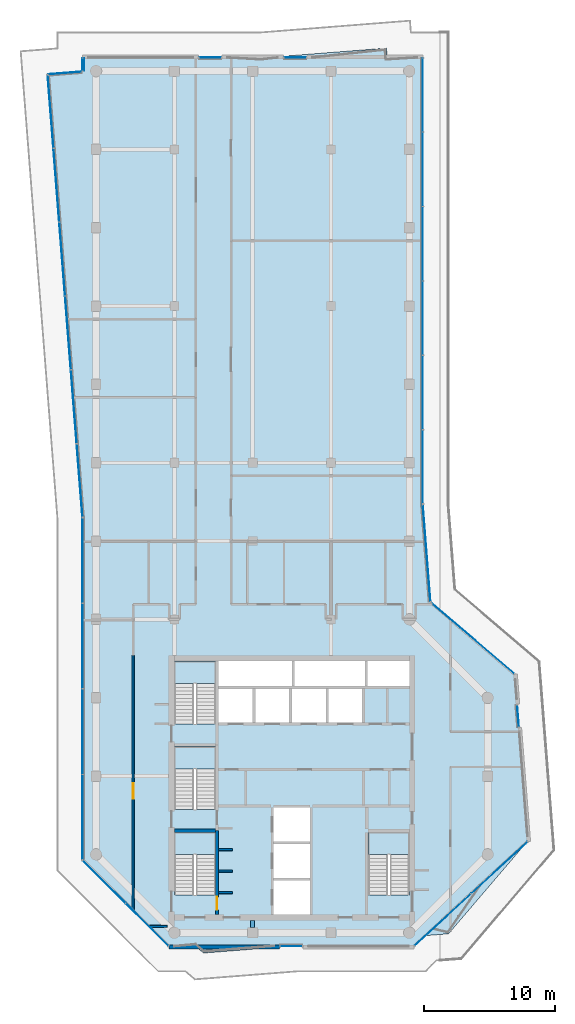
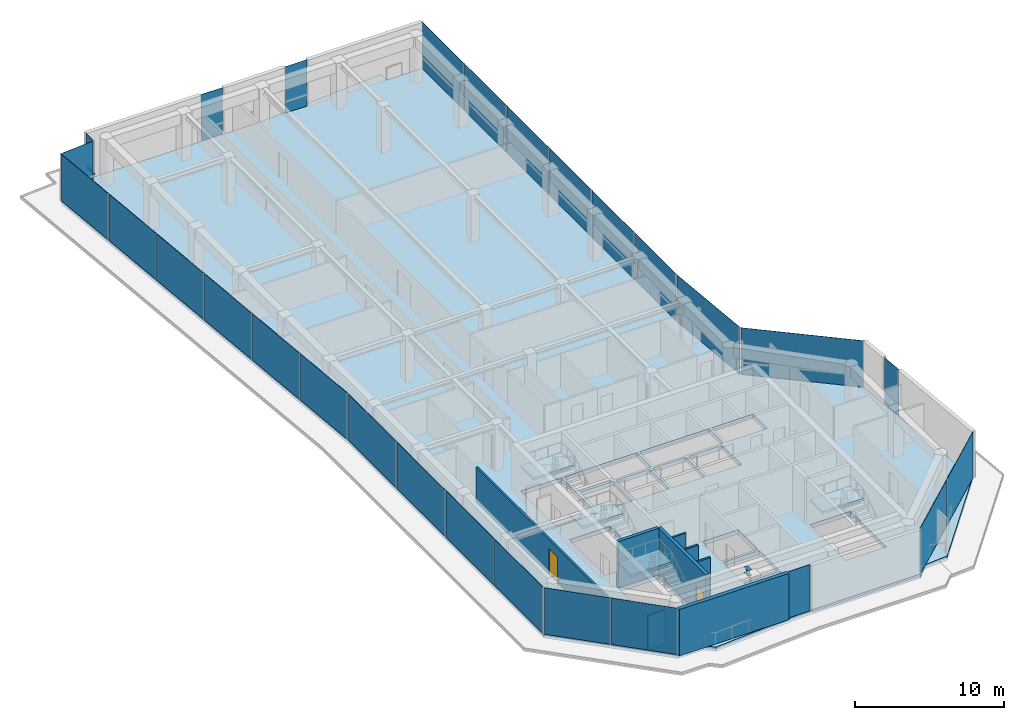
# One storey, part 18 of 23: 28 plates, 8 walls, 5 slabs, 2 doors, 1 beam, 1 member, 2 openings, 17 elements without a shape of their own.
"""IFC4 building model written with IfcOpenShell, lengths in metres."""

import ifcopenshell
import ifcopenshell.guid

model = None  # the IFC model being written
_history = None  # IfcOwnerHistory: only IFC2X3 demands one
_inside = {}  # id of a spatial element -> (the spatial element, [elements in it])
_under = {}  # id of a project, library or spatial element -> (it, [spatial elements below it])
_declared = {}  # id of a project -> (the project, [libraries it declares])
_typed = {}  # id of a type object -> (the type object, [elements of that type])
_made_of = {}  # id of a material, layer set ... -> (it, [elements and type objects made of it])


def new_model(schema):
    """Start an empty IFC model of exactly this schema.

    Asked for "IFC4X3", IfcOpenShell would pick the latest addendum, in which some entities
    have other attributes; the version numbers below select the first issue.
    IFC2X3 requires an IfcOwnerHistory on every rooted entity: one is made here for all.
    """
    global model, _history
    if schema == "IFC4X3":
        model = ifcopenshell.file(schema_version=(4, 3, 0, 0))
    else:
        model = ifcopenshell.file(schema=schema)
    _inside.clear()
    _under.clear()
    _declared.clear()
    _typed.clear()
    _made_of.clear()
    _history = None
    if model.schema == "IFC2X3":
        org = make("IfcOrganization", Name="unknown")
        user = make(
            "IfcPersonAndOrganization",
            ThePerson=make("IfcPerson", FamilyName="unknown"),
            TheOrganization=org,
        )
        app = make(
            "IfcApplication",
            ApplicationDeveloper=org,
            Version="unknown",
            ApplicationFullName="unknown",
            ApplicationIdentifier="unknown",
        )
        _history = make(
            "IfcOwnerHistory",
            OwningUser=user,
            OwningApplication=app,
            ChangeAction="ADDED",
            CreationDate=0,
        )
    return model


def make(cls, **values):
    """One entity of the class cls with the attributes given. An attribute that is None is left unset."""
    return model.create_entity(
        cls, **{name: value for name, value in values.items() if value is not None}
    )


def rooted(cls, **values):
    """An entity with a GlobalId (a new one), such as an element, a storey or a relation."""
    return make(cls, GlobalId=ifcopenshell.guid.new(), OwnerHistory=_history, **values)


def si_unit(unit_type, name, prefix=None):
    """IfcSIUnit, for example si_unit("LENGTHUNIT", "METRE", prefix="MILLI")."""
    return make("IfcSIUnit", UnitType=unit_type, Prefix=prefix, Name=name)


def assignment(units):
    """IfcUnitAssignment: the units of a project."""
    return None if units is None else make("IfcUnitAssignment", Units=units)


def point(xyz):
    """IfcCartesianPoint."""
    return None if xyz is None else make("IfcCartesianPoint", Coordinates=xyz)


def direction(xyz):
    """IfcDirection."""
    return None if xyz is None else make("IfcDirection", DirectionRatios=xyz)


def frame(location, z_axis=None, x_axis=None):
    """IfcAxis2Placement3D, a coordinate frame: its origin and axes. An axis left out is left unset."""
    return make(
        "IfcAxis2Placement3D",
        Location=point(location),
        Axis=direction(z_axis),
        RefDirection=direction(x_axis),
    )


def frame_2d(location, x_axis=None):
    """IfcAxis2Placement2D, a coordinate frame in the plane: its origin and x axis."""
    return make(
        "IfcAxis2Placement2D", Location=point(location), RefDirection=direction(x_axis)
    )


def origin():
    """The frame at (0, 0, 0) with its axes left unset."""
    return frame((0.0, 0.0, 0.0))


def origin_2d():
    """The frame at (0, 0) in the plane with its x axis left unset."""
    return frame_2d((0.0, 0.0))


def place(relative_to, where):
    """IfcLocalPlacement: puts the frame where relative to a parent placement (None: the world)."""
    return make(
        "IfcLocalPlacement", PlacementRelTo=relative_to, RelativePlacement=where
    )


def context(
    kind, dimensions, precision=None, world=None, true_north=None, identifier=None
):
    """IfcGeometricRepresentationContext, for example the 3D "Model" context."""
    return make(
        "IfcGeometricRepresentationContext",
        ContextIdentifier=identifier,
        ContextType=kind,
        CoordinateSpaceDimension=dimensions,
        Precision=precision,
        WorldCoordinateSystem=world,
        TrueNorth=true_north,
    )


def subcontext(parent, identifier, kind, view, scale=None):
    """IfcGeometricRepresentationSubContext, for example "Body" below "Model"."""
    return make(
        "IfcGeometricRepresentationSubContext",
        ContextIdentifier=identifier,
        ContextType=kind,
        ParentContext=parent,
        TargetScale=scale,
        TargetView=view,
    )


def project(units=None, contexts=None):
    """IfcProject with its units and contexts."""
    return rooted(
        "IfcProject",
        Name="project",
        RepresentationContexts=contexts,
        UnitsInContext=assignment(units),
    )


def spatial(cls, under=None, at=None, **own):
    """A site, building, storey or space (cls), placed at a placement, below another one or the project."""
    s = rooted(cls, ObjectPlacement=at, **own)
    if under is not None:
        _under.setdefault(under.id(), (under, []))[1].append(s)
    return s


def polyline(points):
    """IfcPolyline through the points."""
    return make("IfcPolyline", Points=[point(p) for p in points])


def profile(cls, at=None, kind="AREA", **sizes):
    """A parametric profile (cls). Its sizes go by their IFC names, for example OverallWidth=200.0."""
    return make(cls, ProfileType=kind, Position=at, **sizes)


def rectangle(**sizes):
    """IfcRectangleProfileDef."""
    return profile("IfcRectangleProfileDef", **sizes)


def i_section(**sizes):
    """IfcIShapeProfileDef."""
    return profile("IfcIShapeProfileDef", **sizes)


def outline(outer, holes=None, kind="AREA"):
    """IfcArbitraryClosedProfileDef: a profile drawn as a closed curve; with holes, ...WithVoids."""
    if holes is None:
        return make("IfcArbitraryClosedProfileDef", ProfileType=kind, OuterCurve=outer)
    return make(
        "IfcArbitraryProfileDefWithVoids",
        ProfileType=kind,
        OuterCurve=outer,
        InnerCurves=holes,
    )


def extrude(swept, where, along, depth):
    """IfcExtrudedAreaSolid: the profile swept, set in the frame where, extruded along a direction by depth."""
    return make(
        "IfcExtrudedAreaSolid",
        SweptArea=swept,
        Position=where,
        ExtrudedDirection=direction(along),
        Depth=depth,
    )


def shape(context_of_items, identifier, shape_type, items):
    """IfcShapeRepresentation: the items that make up one representation, for example the "Body"."""
    return make(
        "IfcShapeRepresentation",
        ContextOfItems=context_of_items,
        RepresentationIdentifier=identifier,
        RepresentationType=shape_type,
        Items=items,
    )


def material(Name=None, Category=None):
    """IfcMaterial."""
    return make("IfcMaterial", Name=Name, Category=Category)


def layer(
    of_material, thickness, ventilated=None, Name=None, Category=None, Priority=None
):
    """IfcMaterialLayer: one layer of a wall or slab, of a material (None: an air gap)."""
    return make(
        "IfcMaterialLayer",
        Material=of_material,
        LayerThickness=thickness,
        IsVentilated=ventilated,
        Name=Name,
        Category=Category,
        Priority=Priority,
    )


def layer_set(layers, Name=None):
    """IfcMaterialLayerSet."""
    return make("IfcMaterialLayerSet", MaterialLayers=layers, LayerSetName=Name)


def material_profile(
    of_material, cross_section, Name=None, Category=None, Priority=None
):
    """IfcMaterialProfile: a cross section and its material."""
    return make(
        "IfcMaterialProfile",
        Name=Name,
        Material=of_material,
        Profile=cross_section,
        Priority=Priority,
        Category=Category,
    )


def profile_set(profiles, Name=None, composite=None):
    """IfcMaterialProfileSet."""
    return make(
        "IfcMaterialProfileSet",
        Name=Name,
        MaterialProfiles=profiles,
        CompositeProfile=composite,
    )


def made_of(thing, what):
    """Note that an element or type object is made of a material, layer set ...; save() writes the relation."""
    if what is not None:
        _made_of.setdefault(what.id(), (what, []))[1].append(thing)
    return thing


def type_object(cls, material=None, **own):
    """A type object (cls), such as IfcWallType, which elements share."""
    return made_of(rooted(cls, **own), material)


def element(
    cls,
    number,
    at=None,
    inside=None,
    cuts=None,
    type_object=None,
    material=None,
    context=None,
    identifier="Body",
    shape_type=None,
    held_by="IfcProductDefinitionShape",
    body=None,
    shapes=None,
    **own,
):
    """One element of the class cls, such as IfcWall. Its Tag is "e" and its number.

    at: its placement. inside: the storey or other place that contains it. cuts: it is an
    opening in that element (IfcRelVoidsElement). A single representation is given by context,
    identifier, shape_type and body (its items); several are given by shapes. held_by: the class
    of the entity that holds the representations. save() writes the other relations.
    """
    e = rooted(cls, Tag="e%d" % number, ObjectPlacement=at, **own)
    if body is not None:
        shapes = [shape(context, identifier, shape_type, body)]
    if shapes is not None:
        e.Representation = make(held_by, Representations=shapes)
    if inside is not None:
        _inside.setdefault(inside.id(), (inside, []))[1].append(e)
    if cuts is not None:
        rooted(
            "IfcRelVoidsElement", RelatingBuildingElement=cuts, RelatedOpeningElement=e
        )
    if type_object is not None:
        _typed.setdefault(type_object.id(), (type_object, []))[1].append(e)
    return made_of(e, material)


def fill(opening, filler):
    """IfcRelFillsElement: the door or window that sits in an opening."""
    return rooted(
        "IfcRelFillsElement",
        RelatingOpeningElement=opening,
        RelatedBuildingElement=filler,
    )


def aggregate(whole, parts):
    """IfcRelAggregates: a whole, such as a stair, and the parts it consists of."""
    return rooted("IfcRelAggregates", RelatingObject=whole, RelatedObjects=parts)


def save(model, path):
    """Write the relations noted so far, then the file.

    IfcRelAggregates (storeys below a building ...), IfcRelContainedInSpatialStructure (elements
    in a storey), IfcRelDefinesByType, IfcRelAssociatesMaterial and IfcRelDeclares: one each for
    every whole, place, type object, material and project.
    """
    for whole, parts in _under.values():
        aggregate(whole, parts)
    for where, things in _inside.values():
        rooted(
            "IfcRelContainedInSpatialStructure",
            RelatedElements=things,
            RelatingStructure=where,
        )
    for kind, things in _typed.values():
        rooted("IfcRelDefinesByType", RelatedObjects=things, RelatingType=kind)
    for what, things in _made_of.values():
        rooted("IfcRelAssociatesMaterial", RelatedObjects=things, RelatingMaterial=what)
    for by, libraries in _declared.values():
        rooted("IfcRelDeclares", RelatingContext=by, RelatedDefinitions=libraries)
    model.write(path)


model = new_model("IFC4")

# Units and contexts
model_context = context("Model", 3, precision=1e-05, world=origin(), true_north=direction((0.0, 1.0)))
body_context = subcontext(model_context, "Body", "Model", "MODEL_VIEW")
ifc_project = project(units=[si_unit("LENGTHUNIT", "METRE"), si_unit("AREAUNIT", "SQUARE_METRE"), si_unit("VOLUMEUNIT", "CUBIC_METRE"), si_unit("PLANEANGLEUNIT", "RADIAN"), si_unit("MASSUNIT", "GRAM", prefix="KILO")], contexts=[model_context])

# Site, building, storey
site_placement = place(None, origin())
site = spatial("IfcSite", under=ifc_project, at=site_placement, CompositionType="ELEMENT")
building_placement = place(site_placement, origin())
building = spatial("IfcBuilding", under=site, at=building_placement, Name="Welwitschia Terrace Campus", CompositionType="ELEMENT")
storey_placement = place(building_placement, frame((0.0, 0.0, 209.60009765625)))
storey = spatial("IfcBuildingStorey", under=building, at=storey_placement, Name="L46", CompositionType="ELEMENT", Elevation=209.60009765625)

# Beam
ifc_material_1 = material(Name="Steel S355", Category="steel")
ifc_material_profile_1 = material_profile(ifc_material_1, i_section(OverallWidth=0.300048828125, OverallDepth=0.489990234375, WebThickness=0.011962890625, FlangeThickness=0.02294921875, FilletRadius=0.027099609375, at=origin_2d()))
ifc_profile_set_1 = profile_set([ifc_material_profile_1], Name="Steel S355")
beam_type = type_object("IfcBeamType", Name="Primary beam HE 500 A", PredefinedType="BEAM", material=ifc_profile_set_1)
beam_placement = place(storey_placement, frame((12.0, 4.400390625, 3.554931640625), z_axis=(0.0, 1.0, 0.0), x_axis=(-1.0, 0.0, 0.0)))
element("IfcBeam", 1, at=beam_placement, inside=storey, type_object=beam_type, Name="Primary beam PB5", PredefinedType="BEAM", context=body_context, shape_type="SweptSolid", body=[
    extrude(i_section(OverallWidth=0.300048828125, OverallDepth=0.489990234375, WebThickness=0.011962890625, FlangeThickness=0.02294921875, FilletRadius=0.027099609375, at=origin_2d()), origin(), (0.0, 0.0, 1.0), 0.549560546875),
])

# Curtain wall, member
ifc_material_2 = material(Name="Bronze anodised aluminium", Category="aluminium")
ifc_layer_1 = layer(ifc_material_2, 0.1201171875)
ifc_layer_set_1 = layer_set([ifc_layer_1], Name="Bronze anodised aluminium")
curtain_wall_type = type_object("IfcCurtainWallType", Name="Curtain wall CW2 tower 6000", PredefinedType="NOTDEFINED", material=ifc_layer_set_1)
curtain_wall_1_placement = place(storey_placement, origin())
curtain_wall_1 = element("IfcCurtainWall", 2, at=curtain_wall_1_placement, inside=storey, type_object=curtain_wall_type, Name="CW L46.9.0", PredefinedType="NOTDEFINED")
ifc_material_3 = material(Name="Bronze anodised aluminium", Category="aluminium")
ifc_material_profile_2 = material_profile(ifc_material_3, rectangle(XDim=0.06005859375, YDim=0.14990234375, at=origin_2d()))
ifc_profile_set_2 = profile_set([ifc_material_profile_2], Name="Bronze anodised aluminium")
member_type = type_object("IfcMemberType", Name="Transom 60x150", PredefinedType="USERDEFINED", material=ifc_profile_set_2)
member_placement = place(storey_placement, frame((-0.93994140625, 70.969970703125, 1.0), z_axis=(0.0, -1.0, 0.0), x_axis=(1.0, 0.0, 0.0)))
member = element("IfcMember", 3, at=member_placement, type_object=member_type, Name="Transom L46.9.0", ObjectType="TRANSOM", PredefinedType="USERDEFINED", context=body_context, shape_type="SweptSolid", body=[
    extrude(rectangle(XDim=0.06005859375, YDim=0.14990234375, at=origin_2d()), origin(), (0.0, 0.0, 1.0), 0.95361328125),
])

# Curtain wall, plates
curtain_wall_2_placement = place(storey_placement, origin())
curtain_wall_2 = element("IfcCurtainWall", 4, at=curtain_wall_2_placement, inside=storey, type_object=curtain_wall_type, Name="CW L46.0.0", PredefinedType="NOTDEFINED")
ifc_material_4 = material(Name="Tinted bronze-grey glass", Category="glass")
ifc_layer_2 = layer(ifc_material_4, 0.028076171875)
ifc_layer_set_2 = layer_set([ifc_layer_2], Name="Tinted bronze-grey glass")
plate_type = type_object("IfcPlateType", Name="Glass panel 28 tinted", PredefinedType="CURTAIN_PANEL", material=ifc_layer_set_2)
plate_1_placement = place(storey_placement, frame((-1.030029296875, 32.50537109375, 0.0), z_axis=(0.0, 0.0, 1.0), x_axis=(0.0, -1.0, 0.0)))
plate_1 = element("IfcPlate", 5, at=plate_1_placement, type_object=plate_type, Name="Panel L46.0.0.0", PredefinedType="CURTAIN_PANEL", context=body_context, shape_type="SweptSolid", body=[
    extrude(rectangle(XDim=6.46630859375, YDim=0.028076171875, at=origin_2d()), origin(), (0.0, 0.0, 1.0), 3.800048828125),
])
plate_2_placement = place(storey_placement, frame((-1.030029296875, 25.964111328125, 0.0), z_axis=(0.0, 0.0, 1.0), x_axis=(0.0, -1.0, 0.0)))
plate_2 = element("IfcPlate", 6, at=plate_2_placement, type_object=plate_type, Name="Panel L46.0.0.1", PredefinedType="CURTAIN_PANEL", context=body_context, shape_type="SweptSolid", body=[
    extrude(rectangle(XDim=6.496337890625, YDim=0.028076171875, at=origin_2d()), origin(), (0.0, 0.0, 1.0), 3.800048828125),
])
plate_3_placement = place(storey_placement, frame((-1.030029296875, 19.40771484375, 0.0), z_axis=(0.0, 0.0, 1.0), x_axis=(0.0, -1.0, 0.0)))
plate_3 = element("IfcPlate", 7, at=plate_3_placement, type_object=plate_type, Name="Panel L46.0.0.2", PredefinedType="CURTAIN_PANEL", context=body_context, shape_type="SweptSolid", body=[
    extrude(rectangle(XDim=6.496337890625, YDim=0.028076171875, at=origin_2d()), origin(), (0.0, 0.0, 1.0), 3.800048828125),
])
plate_4_placement = place(storey_placement, frame((-1.030029296875, 12.866455078125, 0.0), z_axis=(0.0, 0.0, 1.0), x_axis=(0.0, -1.0, 0.0)))
plate_4 = element("IfcPlate", 8, at=plate_4_placement, type_object=plate_type, Name="Panel L46.0.0.3", PredefinedType="CURTAIN_PANEL", context=body_context, shape_type="SweptSolid", body=[
    extrude(rectangle(XDim=6.46630859375, YDim=0.028076171875, at=origin_2d()), origin(), (0.0, 0.0, 1.0), 3.800048828125),
])
aggregate(curtain_wall_2, [plate_1, plate_2, plate_3, plate_4])

curtain_wall_3_placement = place(storey_placement, origin())
curtain_wall_3 = element("IfcCurtainWall", 9, at=curtain_wall_3_placement, inside=storey, type_object=curtain_wall_type, Name="CW L46.1.0", PredefinedType="NOTDEFINED")
plate_5_placement = place(storey_placement, frame((0.63134765625, 7.911865234375, 0.0), z_axis=(0.0, 0.0, 1.0), x_axis=(0.707106781187, -0.707106781187, 0.0)))
plate_5 = element("IfcPlate", 10, at=plate_5_placement, type_object=plate_type, Name="Panel L46.1.0.0", PredefinedType="CURTAIN_PANEL", context=body_context, shape_type="SweptSolid", body=[
    extrude(rectangle(XDim=4.579345703125, YDim=0.028076171875, at=origin_2d()), origin(), (0.0, 0.0, 1.0), 3.800048828125),
])
plate_6_placement = place(storey_placement, frame((3.911865234375, 4.63134765625, 0.0), z_axis=(0.0, 0.0, 1.0), x_axis=(0.707106781187, -0.707106781187, 0.0)))
plate_6 = element("IfcPlate", 11, at=plate_6_placement, type_object=plate_type, Name="Panel L46.1.0.1", PredefinedType="CURTAIN_PANEL", context=body_context, shape_type="SweptSolid", body=[
    extrude(rectangle(XDim=4.579345703125, YDim=0.028076171875, at=origin_2d()), origin(), (0.0, 0.0, 1.0), 3.800048828125),
])
aggregate(curtain_wall_3, [plate_5, plate_6])

# Curtain wall, plate
curtain_wall_4_placement = place(storey_placement, origin())
curtain_wall_4 = element("IfcCurtainWall", 12, at=curtain_wall_4_placement, inside=storey, type_object=curtain_wall_type, Name="CW L46.2.S0", PredefinedType="NOTDEFINED")
plate_7_placement = place(storey_placement, frame((14.966064453125, 2.969970703125, 0.0), z_axis=(0.0, 0.0, 1.0), x_axis=(1.0, 0.0, 0.0)))
plate_7 = element("IfcPlate", 13, at=plate_7_placement, type_object=plate_type, Name="Panel L46.2.S0.0", PredefinedType="CURTAIN_PANEL", context=body_context, shape_type="SweptSolid", body=[
    extrude(rectangle(XDim=1.679931640625, YDim=0.028076171875, at=origin_2d()), origin(), (0.0, 0.0, 1.0), 3.800048828125),
])
aggregate(curtain_wall_4, [plate_7])

# Curtain wall, plates
curtain_wall_5_placement = place(storey_placement, origin())
curtain_wall_5 = element("IfcCurtainWall", 14, at=curtain_wall_5_placement, inside=storey, type_object=curtain_wall_type, Name="CW L46.3.0", PredefinedType="NOTDEFINED")
plate_8_placement = place(storey_placement, frame((26.55029296875, 4.986328125, 0.0), z_axis=(0.0, 0.0, 1.0), x_axis=(0.735951379872, 0.677034390902, 0.0)))
plate_8 = element("IfcPlate", 15, at=plate_8_placement, type_object=plate_type, Name="Panel L46.3.0.0", PredefinedType="CURTAIN_PANEL", context=body_context, shape_type="SweptSolid", body=[
    extrude(rectangle(XDim=5.836181640625, YDim=0.028076171875, at=origin_2d()), origin(), (0.0, 0.0, 1.0), 3.800048828125),
])
plate_9_placement = place(storey_placement, frame((30.8896484375, 8.97802734375, 0.0), z_axis=(0.0, 0.0, 1.0), x_axis=(0.735951379872, 0.677034390902, 0.0)))
plate_9 = element("IfcPlate", 16, at=plate_9_placement, type_object=plate_type, Name="Panel L46.3.0.1", PredefinedType="CURTAIN_PANEL", context=body_context, shape_type="SweptSolid", body=[
    extrude(rectangle(XDim=5.836181640625, YDim=0.028076171875, at=origin_2d()), origin(), (0.0, 0.0, 1.0), 3.800048828125),
])
aggregate(curtain_wall_5, [plate_8, plate_9])

# Curtain wall, plate
curtain_wall_6_placement = place(storey_placement, origin())
curtain_wall_6 = element("IfcCurtainWall", 17, at=curtain_wall_6_placement, inside=storey, type_object=curtain_wall_type, Name="CW L46.4.S0", PredefinedType="NOTDEFINED")
plate_10_placement = place(storey_placement, frame((32.324951171875, 20.6044921875, 0.0), z_axis=(0.0, 0.0, 1.0), x_axis=(-0.078459095728, 0.996917333733, 0.0)))
plate_10 = element("IfcPlate", 18, at=plate_10_placement, type_object=plate_type, Name="Panel L46.4.S0.0", PredefinedType="CURTAIN_PANEL", context=body_context, shape_type="SweptSolid", body=[
    extrude(rectangle(XDim=1.679931640625, YDim=0.028076171875, at=origin_2d()), origin(), (0.0, 0.0, 1.0), 3.800048828125),
])
aggregate(curtain_wall_6, [plate_10])

curtain_wall_7_placement = place(storey_placement, origin())
curtain_wall_7 = element("IfcCurtainWall", 19, at=curtain_wall_7_placement, inside=storey, type_object=curtain_wall_type, Name="CW L46.5.0", PredefinedType="NOTDEFINED")
plate_11_placement = place(storey_placement, frame((28.8466796875, 26.563232421875, 0.0), z_axis=(0.0, 0.0, 1.0), x_axis=(-0.7604059656, 0.64944804833, 0.0)))
plate_11 = element("IfcPlate", 20, at=plate_11_placement, type_object=plate_type, Name="Panel L46.5.0.0", PredefinedType="CURTAIN_PANEL", context=body_context, shape_type="SweptSolid", body=[
    extrude(rectangle(XDim=8.365234375, YDim=0.028076171875, at=origin_2d()), origin(), (0.0, 0.0, 1.0), 3.800048828125),
])
aggregate(curtain_wall_7, [plate_11])

curtain_wall_8_placement = place(storey_placement, origin())
curtain_wall_8 = element("IfcCurtainWall", 21, at=curtain_wall_8_placement, inside=storey, type_object=curtain_wall_type, Name="CW L46.6.0", PredefinedType="NOTDEFINED")
plate_12_placement = place(storey_placement, frame((25.3251953125, 33.070556640625, 0.0), z_axis=(0.0, 0.0, 1.0), x_axis=(-0.078459095728, 0.996917333733, 0.0)))
plate_12 = element("IfcPlate", 22, at=plate_12_placement, type_object=plate_type, Name="Panel L46.6.0.0", PredefinedType="CURTAIN_PANEL", context=body_context, shape_type="SweptSolid", body=[
    extrude(rectangle(XDim=7.406982421875, YDim=0.028076171875, at=origin_2d()), origin(), (0.0, 0.0, 1.0), 3.800048828125),
])
aggregate(curtain_wall_8, [plate_12])

# Curtain wall, plates
curtain_wall_9_placement = place(storey_placement, origin())
curtain_wall_9 = element("IfcCurtainWall", 23, at=curtain_wall_9_placement, inside=storey, type_object=curtain_wall_type, Name="CW L46.7.0", PredefinedType="NOTDEFINED")
plate_13_placement = place(storey_placement, frame((25.030029296875, 39.688232421875, 0.0), z_axis=(0.0, 0.0, 1.0), x_axis=(0.0, 1.0, 0.0)))
plate_13 = element("IfcPlate", 24, at=plate_13_placement, type_object=plate_type, Name="Panel L46.7.0.0", PredefinedType="CURTAIN_PANEL", context=body_context, shape_type="SweptSolid", body=[
    extrude(rectangle(XDim=5.611328125, YDim=0.028076171875, at=origin_2d()), origin(), (0.0, 0.0, 1.0), 3.800048828125),
])
plate_14_placement = place(storey_placement, frame((25.030029296875, 45.37451171875, 0.0), z_axis=(0.0, 0.0, 1.0), x_axis=(0.0, 1.0, 0.0)))
plate_14 = element("IfcPlate", 25, at=plate_14_placement, type_object=plate_type, Name="Panel L46.7.0.1", PredefinedType="CURTAIN_PANEL", context=body_context, shape_type="SweptSolid", body=[
    extrude(rectangle(XDim=5.641357421875, YDim=0.028076171875, at=origin_2d()), origin(), (0.0, 0.0, 1.0), 3.800048828125),
])
plate_15_placement = place(storey_placement, frame((25.030029296875, 51.07568359375, 0.0), z_axis=(0.0, 0.0, 1.0), x_axis=(0.0, 1.0, 0.0)))
plate_15 = element("IfcPlate", 26, at=plate_15_placement, type_object=plate_type, Name="Panel L46.7.0.2", PredefinedType="CURTAIN_PANEL", context=body_context, shape_type="SweptSolid", body=[
    extrude(rectangle(XDim=5.641357421875, YDim=0.028076171875, at=origin_2d()), origin(), (0.0, 0.0, 1.0), 3.800048828125),
])
plate_16_placement = place(storey_placement, frame((25.030029296875, 56.77685546875, 0.0), z_axis=(0.0, 0.0, 1.0), x_axis=(0.0, 1.0, 0.0)))
plate_16 = element("IfcPlate", 27, at=plate_16_placement, type_object=plate_type, Name="Panel L46.7.0.3", PredefinedType="CURTAIN_PANEL", context=body_context, shape_type="SweptSolid", body=[
    extrude(rectangle(XDim=5.641357421875, YDim=0.028076171875, at=origin_2d()), origin(), (0.0, 0.0, 1.0), 3.800048828125),
])
plate_17_placement = place(storey_placement, frame((25.030029296875, 62.47802734375, 0.0), z_axis=(0.0, 0.0, 1.0), x_axis=(0.0, 1.0, 0.0)))
plate_17 = element("IfcPlate", 28, at=plate_17_placement, type_object=plate_type, Name="Panel L46.7.0.4", PredefinedType="CURTAIN_PANEL", context=body_context, shape_type="SweptSolid", body=[
    extrude(rectangle(XDim=5.641357421875, YDim=0.028076171875, at=origin_2d()), origin(), (0.0, 0.0, 1.0), 3.800048828125),
])
plate_18_placement = place(storey_placement, frame((25.030029296875, 68.164306640625, 0.0), z_axis=(0.0, 0.0, 1.0), x_axis=(0.0, 1.0, 0.0)))
plate_18 = element("IfcPlate", 29, at=plate_18_placement, type_object=plate_type, Name="Panel L46.7.0.5", PredefinedType="CURTAIN_PANEL", context=body_context, shape_type="SweptSolid", body=[
    extrude(rectangle(XDim=5.611328125, YDim=0.028076171875, at=origin_2d()), origin(), (0.0, 0.0, 1.0), 3.800048828125),
])
aggregate(curtain_wall_9, [plate_13, plate_14, plate_15, plate_16, plate_17, plate_18])

# Curtain wall, plate
curtain_wall_10_placement = place(storey_placement, origin())
curtain_wall_10 = element("IfcCurtainWall", 30, at=curtain_wall_10_placement, inside=storey, type_object=curtain_wall_type, Name="CW L46.8.S0", PredefinedType="NOTDEFINED")
plate_19_placement = place(storey_placement, frame((15.257568359375, 71.030029296875, 0.0), z_axis=(0.0, 0.0, 1.0), x_axis=(-1.0, 0.0, 0.0)))
plate_19 = element("IfcPlate", 31, at=plate_19_placement, type_object=plate_type, Name="Panel L46.8.S0.0", PredefinedType="CURTAIN_PANEL", context=body_context, shape_type="SweptSolid", body=[
    extrude(rectangle(XDim=1.679931640625, YDim=0.028076171875, at=origin_2d()), origin(), (0.0, 0.0, 1.0), 3.800048828125),
])
aggregate(curtain_wall_10, [plate_19])

curtain_wall_11_placement = place(storey_placement, origin())
curtain_wall_11 = element("IfcCurtainWall", 32, at=curtain_wall_11_placement, inside=storey, type_object=curtain_wall_type, Name="CW L46.8.S1", PredefinedType="NOTDEFINED")
plate_20_placement = place(storey_placement, frame((8.742431640625, 71.030029296875, 0.0), z_axis=(0.0, 0.0, 1.0), x_axis=(-1.0, 0.0, 0.0)))
plate_20 = element("IfcPlate", 33, at=plate_20_placement, type_object=plate_type, Name="Panel L46.8.S1.0", PredefinedType="CURTAIN_PANEL", context=body_context, shape_type="SweptSolid", body=[
    extrude(rectangle(XDim=1.679931640625, YDim=0.028076171875, at=origin_2d()), origin(), (0.0, 0.0, 1.0), 3.800048828125),
])
aggregate(curtain_wall_11, [plate_20])

# Plate
plate_21_placement = place(storey_placement, frame((-1.030029296875, 70.4931640625, 0.0), z_axis=(0.0, 0.0, 1.0), x_axis=(0.0, -1.0, 0.0)))
plate_21 = element("IfcPlate", 34, at=plate_21_placement, type_object=plate_type, Name="Panel L46.9.0.0", PredefinedType="CURTAIN_PANEL", context=body_context, shape_type="SweptSolid", body=[
    extrude(rectangle(XDim=0.95361328125, YDim=0.028076171875, at=origin_2d()), origin(), (0.0, 0.0, 1.0), 3.800048828125),
])

aggregate(curtain_wall_1, [member, plate_21])

# Curtain wall, plate
curtain_wall_12_placement = place(storey_placement, origin())
curtain_wall_12 = element("IfcCurtainWall", 35, at=curtain_wall_12_placement, inside=storey, type_object=curtain_wall_type, Name="CW L46.10.0", PredefinedType="NOTDEFINED")
plate_22_placement = place(storey_placement, frame((-2.365966796875, 69.851318359375, 0.0), z_axis=(0.0, 0.0, 1.0), x_axis=(-0.996917333733, -0.078459095728, 0.0)))
plate_22 = element("IfcPlate", 36, at=plate_22_placement, type_object=plate_type, Name="Panel L46.10.0.0", PredefinedType="CURTAIN_PANEL", context=body_context, shape_type="SweptSolid", body=[
    extrude(rectangle(XDim=2.56005859375, YDim=0.028076171875, at=origin_2d()), origin(), (0.0, 0.0, 1.0), 3.800048828125),
])
aggregate(curtain_wall_12, [plate_22])

# Curtain wall, plates
curtain_wall_13_placement = place(storey_placement, origin())
curtain_wall_13 = element("IfcCurtainWall", 37, at=curtain_wall_13_placement, inside=storey, type_object=curtain_wall_type, Name="CW L46.11.0", PredefinedType="NOTDEFINED")
plate_23_placement = place(storey_placement, frame((-3.477783203125, 66.902099609375, 0.0), z_axis=(0.0, 0.0, 1.0), x_axis=(0.078459095728, -0.996917333733, 0.0)))
plate_23 = element("IfcPlate", 38, at=plate_23_placement, type_object=plate_type, Name="Panel L46.11.0.0", PredefinedType="CURTAIN_PANEL", context=body_context, shape_type="SweptSolid", body=[
    extrude(rectangle(XDim=5.58544921875, YDim=0.028076171875, at=origin_2d()), origin(), (0.0, 0.0, 1.0), 3.800048828125),
])
plate_24_placement = place(storey_placement, frame((-3.03369140625, 61.25927734375, 0.0), z_axis=(0.0, 0.0, 1.0), x_axis=(0.078459095728, -0.996917333733, 0.0)))
plate_24 = element("IfcPlate", 39, at=plate_24_placement, type_object=plate_type, Name="Panel L46.11.0.1", PredefinedType="CURTAIN_PANEL", context=body_context, shape_type="SweptSolid", body=[
    extrude(rectangle(XDim=5.615478515625, YDim=0.028076171875, at=origin_2d()), origin(), (0.0, 0.0, 1.0), 3.800048828125),
])
plate_25_placement = place(storey_placement, frame((-2.588623046875, 55.601318359375, 0.0), z_axis=(0.0, 0.0, 1.0), x_axis=(0.078459095728, -0.996917333733, 0.0)))
plate_25 = element("IfcPlate", 40, at=plate_25_placement, type_object=plate_type, Name="Panel L46.11.0.2", PredefinedType="CURTAIN_PANEL", context=body_context, shape_type="SweptSolid", body=[
    extrude(rectangle(XDim=5.615478515625, YDim=0.028076171875, at=origin_2d()), origin(), (0.0, 0.0, 1.0), 3.800048828125),
])
plate_26_placement = place(storey_placement, frame((-2.143310546875, 49.943359375, 0.0), z_axis=(0.0, 0.0, 1.0), x_axis=(0.078459095728, -0.996917333733, 0.0)))
plate_26 = element("IfcPlate", 41, at=plate_26_placement, type_object=plate_type, Name="Panel L46.11.0.3", PredefinedType="CURTAIN_PANEL", context=body_context, shape_type="SweptSolid", body=[
    extrude(rectangle(XDim=5.615478515625, YDim=0.028076171875, at=origin_2d()), origin(), (0.0, 0.0, 1.0), 3.800048828125),
])
plate_27_placement = place(storey_placement, frame((-1.697998046875, 44.285400390625, 0.0), z_axis=(0.0, 0.0, 1.0), x_axis=(0.078459095728, -0.996917333733, 0.0)))
plate_27 = element("IfcPlate", 42, at=plate_27_placement, type_object=plate_type, Name="Panel L46.11.0.4", PredefinedType="CURTAIN_PANEL", context=body_context, shape_type="SweptSolid", body=[
    extrude(rectangle(XDim=5.615478515625, YDim=0.028076171875, at=origin_2d()), origin(), (0.0, 0.0, 1.0), 3.800048828125),
])
plate_28_placement = place(storey_placement, frame((-1.25390625, 38.642578125, 0.0), z_axis=(0.0, 0.0, 1.0), x_axis=(0.078459095728, -0.996917333733, 0.0)))
plate_28 = element("IfcPlate", 43, at=plate_28_placement, type_object=plate_type, Name="Panel L46.11.0.5", PredefinedType="CURTAIN_PANEL", context=body_context, shape_type="SweptSolid", body=[
    extrude(rectangle(XDim=5.58544921875, YDim=0.028076171875, at=origin_2d()), origin(), (0.0, 0.0, 1.0), 3.800048828125),
])
aggregate(curtain_wall_13, [plate_23, plate_24, plate_25, plate_26, plate_27, plate_28])

# Stair, slab
ifc_material_5 = material(Name="Concrete C40/50", Category="concrete")
stair_type = type_object("IfcStairType", Name="Stair 24R 175 W1500", PredefinedType="HALF_TURN_STAIR", material=ifc_material_5)
stair_1_placement = place(storey_placement, origin())
stair_1 = element("IfcStair", 44, at=stair_1_placement, inside=storey, type_object=stair_type, Name="L46 Exit stair S1", PredefinedType="HALF_TURN_STAIR")
ifc_material_6 = material(Name="Concrete C40/50", Category="concrete")
ifc_layer_3 = layer(ifc_material_6, 0.199951171875)
ifc_layer_set_3 = layer_set([ifc_layer_3], Name="Concrete C40/50")
slab_type_1 = type_object("IfcSlabType", Name="Stair landing RC", PredefinedType="LANDING", material=ifc_layer_set_3)
slab_1_placement = place(storey_placement, frame((0.0, 0.0, 1.89990234375)))
slab_1 = element("IfcSlab", 45, at=slab_1_placement, type_object=slab_type_1, Name="S1 landing 1", PredefinedType="LANDING", context=body_context, shape_type="SweptSolid", body=[
    extrude(outline(polyline([(9.14990234375, 9.97998046875), (9.14990234375, 11.699951171875), (6.0, 11.699951171875), (6.0, 9.97998046875), (9.14990234375, 9.97998046875)])), origin(), (0.0, 0.0, 1.0), 0.199951171875),
])
aggregate(stair_1, [slab_1])

stair_2_placement = place(storey_placement, origin())
stair_2 = element("IfcStair", 46, at=stair_2_placement, inside=storey, type_object=stair_type, Name="L46 Exit stair S3", PredefinedType="HALF_TURN_STAIR")
slab_2_placement = place(storey_placement, frame((0.0, 0.0, 1.89990234375)))
slab_2 = element("IfcSlab", 47, at=slab_2_placement, type_object=slab_type_1, Name="S3 landing 1", PredefinedType="LANDING", context=body_context, shape_type="SweptSolid", body=[
    extrude(outline(polyline([(9.14990234375, 16.530029296875), (9.14990234375, 18.25), (6.0, 18.25), (6.0, 16.530029296875), (9.14990234375, 16.530029296875)])), origin(), (0.0, 0.0, 1.0), 0.199951171875),
])
aggregate(stair_2, [slab_2])

stair_3_placement = place(storey_placement, origin())
stair_3 = element("IfcStair", 48, at=stair_3_placement, inside=storey, type_object=stair_type, Name="L46 Exit stair S4", PredefinedType="HALF_TURN_STAIR")
slab_3_placement = place(storey_placement, frame((0.0, 0.0, 1.89990234375)))
slab_3 = element("IfcSlab", 49, at=slab_3_placement, type_object=slab_type_1, Name="S4 landing 1", PredefinedType="LANDING", context=body_context, shape_type="SweptSolid", body=[
    extrude(outline(polyline([(9.14990234375, 23.080078125), (9.14990234375, 24.800048828125), (6.0, 24.800048828125), (6.0, 23.080078125), (9.14990234375, 23.080078125)])), origin(), (0.0, 0.0, 1.0), 0.199951171875),
])
aggregate(stair_3, [slab_3])

stair_4_placement = place(storey_placement, origin())
stair_4 = element("IfcStair", 50, at=stair_4_placement, inside=storey, type_object=stair_type, Name="L46 Exit stair S2", PredefinedType="HALF_TURN_STAIR")
slab_4_placement = place(storey_placement, frame((0.0, 0.0, 1.89990234375)))
slab_4 = element("IfcSlab", 51, at=slab_4_placement, type_object=slab_type_1, Name="S2 landing 1", PredefinedType="LANDING", context=body_context, shape_type="SweptSolid", body=[
    extrude(outline(polyline([(24.0, 9.97998046875), (24.0, 11.699951171875), (20.85009765625, 11.699951171875), (20.85009765625, 9.97998046875), (24.0, 9.97998046875)])), origin(), (0.0, 0.0, 1.0), 0.199951171875),
])
aggregate(stair_4, [slab_4])

# Slab
ifc_material_7 = material(Name="Concrete C40/50", Category="concrete")
ifc_layer_4 = layer(ifc_material_7, 0.35009765625)
ifc_layer_set_4 = layer_set([ifc_layer_4], Name="Concrete C40/50")
slab_type_2 = type_object("IfcSlabType", Name="Suspended floor slab 350", PredefinedType="FLOOR", material=ifc_layer_set_4)
slab_5_placement = place(storey_placement, frame((0.0, 0.0, -0.35009765625)))
element("IfcSlab", 52, at=slab_5_placement, inside=storey, type_object=slab_type_2, Name="Floor slab L46", PredefinedType="FLOOR", context=body_context, shape_type="SweptSolid", body=[
    extrude(outline(polyline([(-3.66943359375, 69.718505859375), (-1.0, 69.9287109375), (-1.0, 71.0), (12.613037109375, 71.0), (22.25048828125, 71.758544921875), (22.31005859375, 71.0), (25.0, 71.0), (25.0, 36.8212890625), (25.591552734375, 29.303955078125), (32.0439453125, 23.793212890625), (33.05029296875, 11.00439453125), (27.001708984375, 3.922119140625), (25.194091796875, 3.77978515625), (24.414306640625, 3.0), (15.284912109375, 3.0), (8.231201171875, 2.44482421875), (7.581298828125, 3.0), (5.585693359375, 3.0), (-1.0, 9.585693359375), (-1.0, 35.7998046875), (-3.66943359375, 69.718505859375)]), holes=[polyline([(13.60009765625, 8.0), (13.60009765625, 5.39990234375), (16.39990234375, 5.39990234375), (16.39990234375, 8.0), (13.60009765625, 8.0)]), polyline([(9.14990234375, 11.699951171875), (6.0, 11.699951171875), (6.0, 6.902099609375), (9.14990234375, 6.902099609375), (9.14990234375, 11.699951171875)]), polyline([(9.14990234375, 18.25), (6.0, 18.25), (6.0, 13.451904296875), (9.14990234375, 13.451904296875), (9.14990234375, 18.25)]), polyline([(12.0, 22.699951171875), (9.39990234375, 22.699951171875), (9.39990234375, 20.10009765625), (12.0, 20.10009765625), (12.0, 22.699951171875)]), polyline([(14.800048828125, 22.699951171875), (12.199951171875, 22.699951171875), (12.199951171875, 20.10009765625), (14.800048828125, 20.10009765625), (14.800048828125, 22.699951171875)]), polyline([(9.14990234375, 24.800048828125), (6.0, 24.800048828125), (6.0, 20.001953125), (9.14990234375, 20.001953125), (9.14990234375, 24.800048828125)]), polyline([(15.0, 24.800048828125), (9.39990234375, 24.800048828125), (9.39990234375, 22.89990234375), (15.0, 22.89990234375), (15.0, 24.800048828125)]), polyline([(20.85009765625, 11.699951171875), (20.85009765625, 6.902099609375), (24.0, 6.902099609375), (24.0, 11.699951171875), (20.85009765625, 11.699951171875)]), polyline([(16.39990234375, 10.800048828125), (13.60009765625, 10.800048828125), (13.60009765625, 8.199951171875), (16.39990234375, 8.199951171875), (16.39990234375, 10.800048828125)]), polyline([(16.39990234375, 13.60009765625), (13.60009765625, 13.60009765625), (13.60009765625, 11.0), (16.39990234375, 11.0), (16.39990234375, 13.60009765625)]), polyline([(17.60009765625, 22.699951171875), (15.0, 22.699951171875), (15.0, 20.10009765625), (17.60009765625, 20.10009765625), (17.60009765625, 22.699951171875)]), polyline([(20.39990234375, 22.699951171875), (17.800048828125, 22.699951171875), (17.800048828125, 20.10009765625), (20.39990234375, 20.10009765625), (20.39990234375, 22.699951171875)]), polyline([(20.60009765625, 24.800048828125), (15.199951171875, 24.800048828125), (15.199951171875, 22.89990234375), (20.60009765625, 22.89990234375), (20.60009765625, 24.800048828125)]), polyline([(24.0, 24.800048828125), (20.800048828125, 24.800048828125), (20.800048828125, 22.89990234375), (24.0, 22.89990234375), (24.0, 24.800048828125)])]), origin(), (0.0, 0.0, 1.0), 0.35009765625),
])

# Walls
ifc_material_8 = material(Name="Concrete C50/60", Category="concrete")
ifc_layer_5 = layer(ifc_material_8, 0.14990234375)
ifc_layer_set_5 = layer_set([ifc_layer_5], Name="Concrete C50/60")
wall_type_1 = type_object("IfcWallType", Name="Core wall 150 Concrete C50/60", PredefinedType="SHEAR", material=ifc_layer_set_5)
for number, where, z_axis, x_axis, name in (
    (53, (9.39990234375, 7.074951171875, 0.0), (0.0, 0.0, 1.0), (1.0, 0.0, 0.0), "Core wall"),
    (54, (9.39990234375, 8.72509765625, 0.0), (0.0, 0.0, 1.0), (1.0, 0.0, 0.0), "Core wall"),
    (55, (9.39990234375, 10.375, 0.0), (0.0, 0.0, 1.0), (1.0, 0.0, 0.0), "Core wall"),
):
    element("IfcWall", number, at=place(storey_placement, frame(where, z_axis=z_axis, x_axis=x_axis)), inside=storey, type_object=wall_type_1, Name=name, PredefinedType="SHEAR", context=body_context, shape_type="SweptSolid", body=[
        extrude(rectangle(XDim=1.050048828125, YDim=0.14990234375, at=frame_2d((0.52490234375, 0.0))), origin(), (0.0, 0.0, 1.0), 3.7998046875),
    ])
ifc_material_9 = material(Name="Concrete C50/60", Category="concrete")
ifc_layer_6 = layer(ifc_material_9, 0.25)
ifc_layer_set_6 = layer_set([ifc_layer_6], Name="Concrete C50/60")
wall_type_2 = type_object("IfcWallType", Name="Core wall 250 Concrete C50/60", PredefinedType="SHEAR", material=ifc_layer_set_6)
wall_1_placement = place(storey_placement, frame((6.0, 11.824951171875, 0.0), z_axis=(0.0, 0.0, 1.0), x_axis=(1.0, 0.0, 0.0)))
element("IfcWall", 56, at=wall_1_placement, inside=storey, type_object=wall_type_2, Name="Core wall", PredefinedType="SHEAR", context=body_context, shape_type="SweptSolid", body=[
    extrude(rectangle(XDim=3.14990234375, YDim=0.25, at=frame_2d((1.574951171875, 0.0))), origin(), (0.0, 0.0, 1.0), 3.7998046875),
])

# Wall, opening, door
wall_2_placement = place(storey_placement, frame((9.27490234375, 11.824951171875, 0.0), z_axis=(0.0, 0.0, 1.0), x_axis=(0.0, -1.0, 0.0)))
wall_2 = element("IfcWall", 57, at=wall_2_placement, inside=storey, type_object=wall_type_2, Name="Core wall", PredefinedType="SHEAR", context=body_context, shape_type="SweptSolid", body=[
    extrude(rectangle(XDim=6.425048828125, YDim=0.25, at=frame_2d((3.21240234375, 0.0))), origin(), (0.0, 0.0, 1.0), 3.7998046875),
])
opening_1_placement = place(wall_2_placement, frame((5.074951171875, 0.0, 0.0)))
opening_1 = element("IfcOpeningElement", 58, at=opening_1_placement, cuts=wall_2, Name="Opening DS10", PredefinedType="OPENING", context=body_context, shape_type="SweptSolid", body=[
    extrude(rectangle(XDim=1.0, YDim=2.10009765625, at=frame_2d((0.5, 1.050048828125))), frame((0.0, 0.135009765625, 0.0), z_axis=(0.0, -1.0, 0.0), x_axis=(1.0, 0.0, 0.0)), (0.0, 0.0, 1.0), 0.27001953125),
])
ifc_material_10 = material(Name="Steel S275", Category="steel")
door_type_1 = type_object("IfcDoorType", Name="Core door DS10", OperationType="SINGLE_SWING_LEFT", PredefinedType="DOOR", material=ifc_material_10)
door_1_placement = place(opening_1_placement, origin())
door_1 = element("IfcDoor", 59, at=door_1_placement, inside=storey, type_object=door_type_1, Name="Door S1-FL", OperationType="SINGLE_SWING_RIGHT", OverallHeight=2.10009765625, OverallWidth=1.0, PredefinedType="DOOR", context=body_context, shape_type="SweptSolid", body=[
    extrude(rectangle(XDim=1.0, YDim=2.10009765625, at=frame_2d((0.5, 1.050048828125))), frame((0.0, 0.02490234375, 0.0), z_axis=(0.0, -1.0, 0.0), x_axis=(1.0, 0.0, 0.0)), (0.0, 0.0, 1.0), 0.050048828125),
])
fill(opening_1, door_1)

ifc_material_11 = material(Name="Gypsum board on steel studs", Category="steel")
ifc_layer_7 = layer(ifc_material_11, 0.14990234375)
ifc_layer_set_7 = layer_set([ifc_layer_7], Name="Gypsum board on steel studs")
wall_type_3 = type_object("IfcWallType", Name="Corridor partition 150 EI 30", PredefinedType="PARTITIONING", material=ifc_layer_set_7)
wall_3_placement = place(storey_placement, frame((2.85009765625, 5.77001953125, 0.0), z_axis=(0.0, 0.0, 1.0), x_axis=(0.0, 1.0, 0.0)))
wall_3 = element("IfcWall", 60, at=wall_3_placement, inside=storey, type_object=wall_type_3, Name="Partition", PredefinedType="PARTITIONING", context=body_context, shape_type="SweptSolid", body=[
    extrude(rectangle(XDim=19.47998046875, YDim=0.14990234375, at=frame_2d((9.739990234375, 0.0))), origin(), (0.0, 0.0, 1.0), 2.829833984375),
])
opening_2_placement = place(wall_3_placement, frame((8.47998046875, 0.0, 0.0)))
opening_2 = element("IfcOpeningElement", 61, at=opening_2_placement, cuts=wall_3, Name="Opening DI12", PredefinedType="OPENING", context=body_context, shape_type="SweptSolid", body=[
    extrude(rectangle(XDim=1.199951171875, YDim=2.10009765625, at=frame_2d((0.60009765625, 1.050048828125))), frame((0.0, 0.0849609375, 0.0), z_axis=(0.0, -1.0, 0.0), x_axis=(1.0, 0.0, 0.0)), (0.0, 0.0, 1.0), 0.169921875),
])
ifc_material_12 = material(Name="Timber veneered door", Category="wood")
door_type_2 = type_object("IfcDoorType", Name="Interior door DI12", OperationType="NOTDEFINED", PredefinedType="DOOR", material=ifc_material_12)
door_2_placement = place(opening_2_placement, origin())
door_2 = element("IfcDoor", 62, at=door_2_placement, inside=storey, type_object=door_type_2, Name="Door L46 871", OperationType="SINGLE_SWING_RIGHT", OverallHeight=2.10009765625, OverallWidth=1.199951171875, PredefinedType="DOOR", context=body_context, shape_type="SweptSolid", body=[
    extrude(rectangle(XDim=1.199951171875, YDim=2.10009765625, at=frame_2d((0.60009765625, 1.050048828125))), frame((0.0, 0.02490234375, 0.0), z_axis=(0.0, -1.0, 0.0), x_axis=(1.0, 0.0, 0.0)), (0.0, 0.0, 1.0), 0.050048828125),
])
fill(opening_2, door_2)

# Walls
wall_4_placement = place(storey_placement, frame((4.110107421875, 4.5, 0.0), z_axis=(0.0, 0.0, 1.0), x_axis=(1.0, 0.0, 0.0)))
element("IfcWall", 63, at=wall_4_placement, inside=storey, type_object=wall_type_3, Name="Partition", PredefinedType="PARTITIONING", context=body_context, shape_type="SweptSolid", body=[
    extrude(rectangle(XDim=1.33984375, YDim=0.14990234375, at=frame_2d((0.669921875, 0.0))), origin(), (0.0, 0.0, 1.0), 2.829833984375),
])
ifc_material_13 = material(Name="Concrete C40/50", Category="concrete")
ifc_layer_8 = layer(ifc_material_13, 0.300048828125)
ifc_layer_set_8 = layer_set([ifc_layer_8], Name="Concrete C40/50")
wall_type_4 = type_object("IfcWallType", Name="Mass wall 300", PredefinedType="SOLIDWALL", material=ifc_layer_set_8)
wall_5_placement = place(storey_placement, frame((5.573486328125, 2.92041015625, 0.0), z_axis=(0.0, 0.0, 1.0), x_axis=(1.0, 0.0, 0.0)))
element("IfcWall", 64, at=wall_5_placement, inside=storey, type_object=wall_type_4, Name="Mass wall L46.2.0", PredefinedType="SOLIDWALL", context=body_context, shape_type="SweptSolid", body=[
    extrude(rectangle(XDim=8.492431640625, YDim=0.300048828125, at=frame_2d((4.24609375, 0.0))), origin(), (0.0, 0.0, 1.0), 3.7998046875),
])

save(model, "model.ifc")
